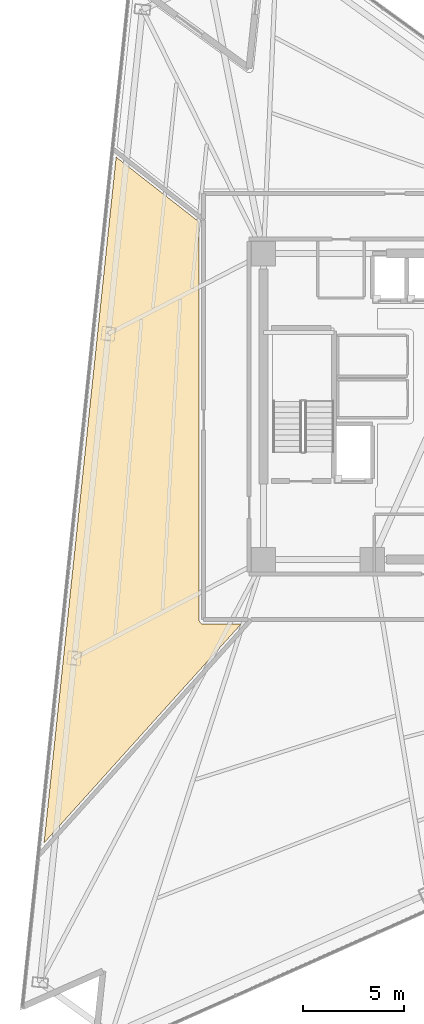
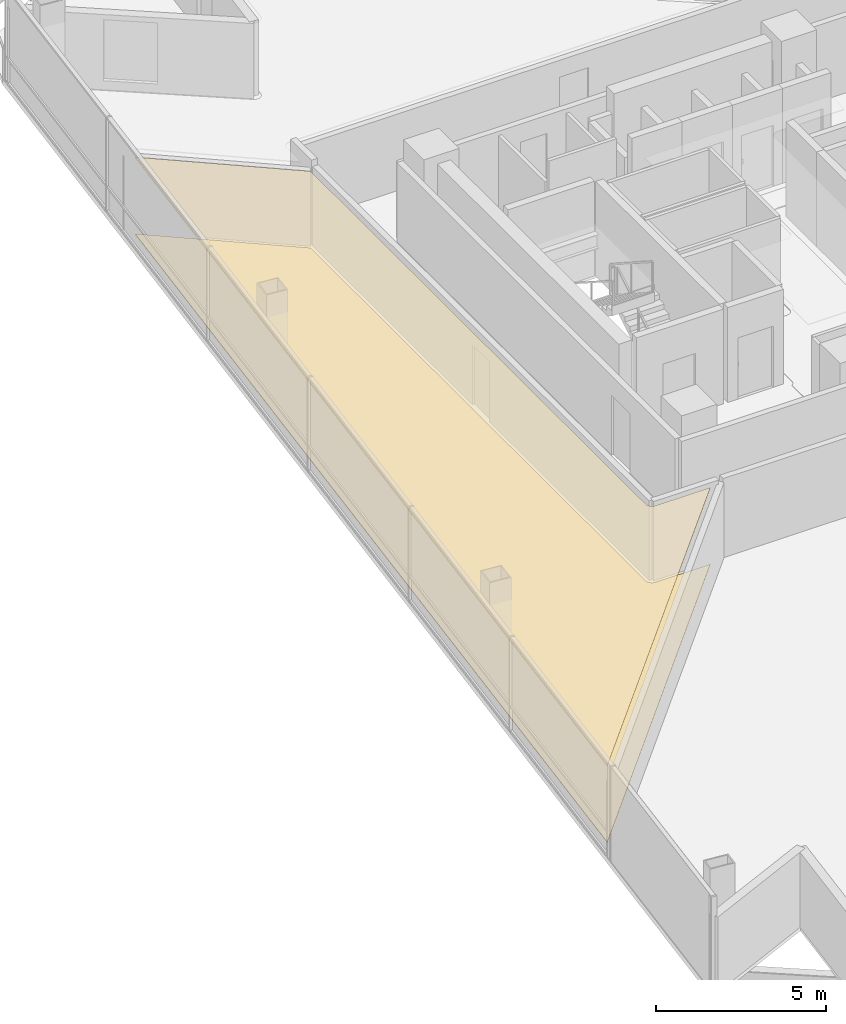
# One storey, part 14 of 16: 2 coverings.
"""IFC4 building model written with IfcOpenShell, lengths in metres."""

from ifc_helpers import new_model, si_unit, direction, frame, origin, place, context, subcontext, project, spatial, polyline, outline, extrude, material, layer, layer_set, type_object, element, save


model = new_model("IFC4")

# Units and contexts
model_context = context("Model", 3, precision=1e-05, world=origin(), true_north=direction((0.0, 1.0)))
body_context = subcontext(model_context, "Body", "Model", "MODEL_VIEW")
ifc_project = project(units=[si_unit("LENGTHUNIT", "METRE"), si_unit("AREAUNIT", "SQUARE_METRE"), si_unit("VOLUMEUNIT", "CUBIC_METRE"), si_unit("PLANEANGLEUNIT", "RADIAN"), si_unit("MASSUNIT", "GRAM", prefix="KILO")], contexts=[model_context])

# Site, building, storey
site_placement = place(None, origin())
site = spatial("IfcSite", under=ifc_project, at=site_placement, CompositionType="ELEMENT")
building_placement = place(site_placement, origin())
building = spatial("IfcBuilding", under=site, at=building_placement, Name="Tharavind Bronze Gate", CompositionType="ELEMENT")
storey_placement = place(building_placement, frame((0.0, 0.0, 123.25)))
storey = spatial("IfcBuildingStorey", under=building, at=storey_placement, Name="L31", CompositionType="ELEMENT", Elevation=123.25)

# Coverings
ifc_material_1 = material(Name="Engineered Oak & Carpet Tile", Category="wood")
ifc_layer_1 = layer(ifc_material_1, 0.02490234375)
ifc_layer_set_1 = layer_set([ifc_layer_1], Name="Engineered Oak & Carpet Tile")
covering_type_1 = type_object("IfcCoveringType", Name="ENGINEERED TIMBER FLOORING", PredefinedType="FLOORING", material=ifc_layer_set_1)
covering_1_placement = place(storey_placement, origin())
element("IfcCovering", 1, at=covering_1_placement, inside=storey, type_object=covering_type_1, Name="L31-RM-02 floor finish", PredefinedType="FLOORING", context=body_context, shape_type="SweptSolid", body=[
    extrude(outline(polyline([(-10.0205078125, -10.800048828125), (-11.87939453125, -10.800048828125), (-11.89013671875, -10.7998046875), (-11.890869140625, -10.7998046875), (-11.912353515625, -10.797607421875), (-11.933349609375, -10.79345703125), (-11.9541015625, -10.787109375), (-11.97412109375, -10.77880859375), (-11.9931640625, -10.768798828125), (-12.010986328125, -10.756591796875), (-12.027587890625, -10.742919921875), (-12.04296875, -10.727783203125), (-12.056640625, -10.7109375), (-12.068603515625, -10.693115234375), (-12.078857421875, -10.674072265625), (-12.087158203125, -10.654052734375), (-12.093505859375, -10.63330078125), (-12.09765625, -10.6123046875), (-12.099609375, -10.5908203125), (-12.099609375, -10.590087890625), (-12.10009765625, -10.579345703125), (-12.10009765625, 9.17431640625), (-16.221435546875, 12.39453125), (-19.801025390625, -21.66259765625), (-10.0205078125, -10.800048828125)])), origin(), (0.0, 0.0, 1.0), 0.02490234375),
])
ifc_material_2 = material(Name="Acoustic Gypsum Board", Category="gypsum")
ifc_layer_2 = layer(ifc_material_2, 0.030029296875)
ifc_layer_set_2 = layer_set([ifc_layer_2], Name="Acoustic Gypsum Board")
covering_type_2 = type_object("IfcCoveringType", Name="GYPSUM SUSPENDED CEILING", PredefinedType="CEILING", material=ifc_layer_set_2)
covering_2_placement = place(storey_placement, frame((0.0, 0.0, 2.75)))
element("IfcCovering", 2, at=covering_2_placement, inside=storey, type_object=covering_type_2, Name="L31-RM-02 suspended ceiling", PredefinedType="CEILING", context=body_context, shape_type="SweptSolid", body=[
    extrude(outline(polyline([(-10.0205078125, -10.800048828125), (-11.87939453125, -10.800048828125), (-11.89013671875, -10.7998046875), (-11.890869140625, -10.7998046875), (-11.912353515625, -10.797607421875), (-11.933349609375, -10.79345703125), (-11.9541015625, -10.787109375), (-11.97412109375, -10.77880859375), (-11.9931640625, -10.768798828125), (-12.010986328125, -10.756591796875), (-12.027587890625, -10.742919921875), (-12.04296875, -10.727783203125), (-12.056640625, -10.7109375), (-12.068603515625, -10.693115234375), (-12.078857421875, -10.674072265625), (-12.087158203125, -10.654052734375), (-12.093505859375, -10.63330078125), (-12.09765625, -10.6123046875), (-12.099609375, -10.5908203125), (-12.099609375, -10.590087890625), (-12.10009765625, -10.579345703125), (-12.10009765625, 9.17431640625), (-16.221435546875, 12.39453125), (-19.801025390625, -21.66259765625), (-10.0205078125, -10.800048828125)])), origin(), (0.0, 0.0, 1.0), 0.034912109375),
])

save(model, "model.ifc")
